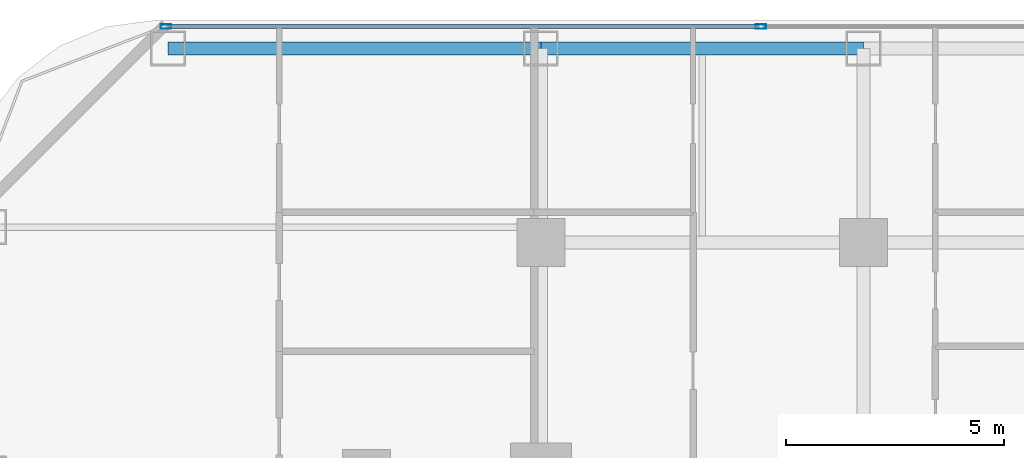
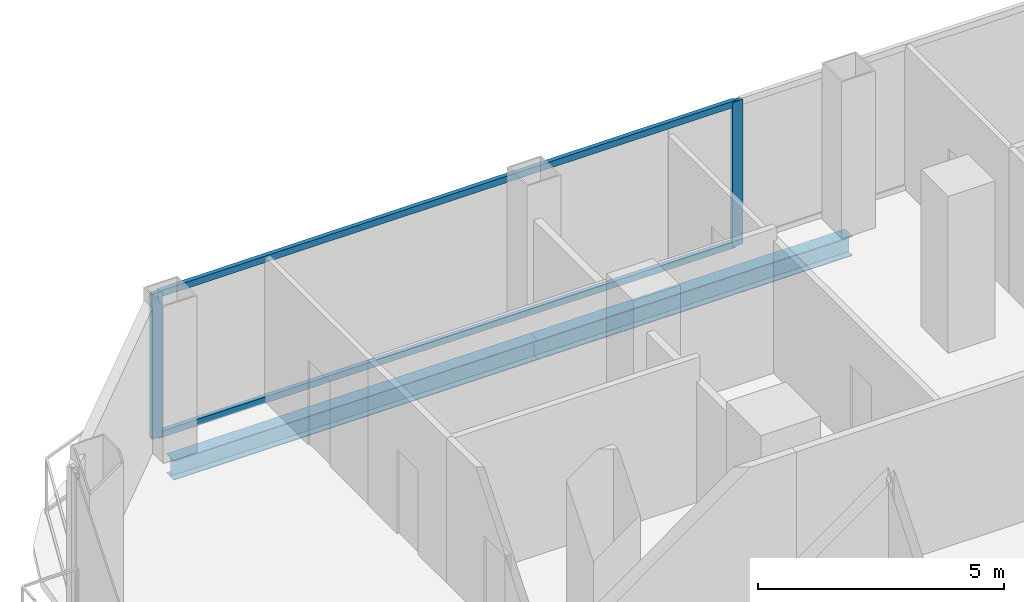
# One storey, part 15 of 29: 4 members, 2 beams, 1 element without a shape of its own.
"""IFC4 building model written with IfcOpenShell, lengths in metres."""

from ifc_helpers import new_model, si_unit, direction, frame, origin, origin_2d, place, context, subcontext, project, spatial, hollow_rectangle, i_section, extrude, material, layer, layer_set, material_profile, profile_set, type_object, element, aggregate, save


model = new_model("IFC4")

# Units and contexts
model_context = context("Model", 3, precision=1e-05, world=origin(), true_north=direction((0.0, 1.0)))
body_context = subcontext(model_context, "Body", "Model", "MODEL_VIEW")
ifc_project = project(units=[si_unit("LENGTHUNIT", "METRE"), si_unit("AREAUNIT", "SQUARE_METRE"), si_unit("VOLUMEUNIT", "CUBIC_METRE"), si_unit("PLANEANGLEUNIT", "RADIAN"), si_unit("MASSUNIT", "GRAM", prefix="KILO")], contexts=[model_context])

# Site, building, storey
site_placement = place(None, origin())
site = spatial("IfcSite", under=ifc_project, at=site_placement, CompositionType="ELEMENT")
building_placement = place(site_placement, origin())
building = spatial("IfcBuilding", under=site, at=building_placement, Name="Khorvyn Point Tower", CompositionType="ELEMENT")
storey_placement = place(building_placement, frame((0.0, 0.0, 73.5)))
storey = spatial("IfcBuildingStorey", under=building, at=storey_placement, Name="L19", CompositionType="ELEMENT", Elevation=73.5)

# Curtain wall, members
ifc_material_1 = material(Name="Anodised aluminium 6063-T6 and laminated Low-E glass", Category="aluminium")
ifc_layer = layer(ifc_material_1, 0.18994140625)
ifc_layer_set = layer_set([ifc_layer], Name="Stick-Built Finned Residential Curtain Wall CW-SYS-02")
curtain_wall_type = type_object("IfcCurtainWallType", Name="Stick-Built Finned Residential Curtain Wall CW-SYS-02", PredefinedType="NOTDEFINED", material=ifc_layer_set)
curtain_wall_placement = place(storey_placement, origin())
curtain_wall = element("IfcCurtainWall", 1, at=curtain_wall_placement, inside=storey, type_object=curtain_wall_type, Name="Curtain Wall", PredefinedType="NOTDEFINED")
ifc_material_2 = material(Name="Anodised aluminium 6063-T6", Category="aluminium")
ifc_material_profile_1 = material_profile(ifc_material_2, hollow_rectangle(XDim=0.10009765625, YDim=0.239990234375, WallThickness=0.0048828125, at=origin_2d()))
ifc_profile_set_1 = profile_set([ifc_material_profile_1], Name="Anodised aluminium 6063-T6 ALU-MUL-100x240")
member_type_1 = type_object("IfcMemberType", Name="Anodised Aluminium 6063-T6 Mullion ALU-MUL-100x240", PredefinedType="MULLION", material=ifc_profile_set_1)
member_1_placement = place(storey_placement, frame((-23.39990234375, 25.050048828125, 0.0), z_axis=(0.0, 0.0, 1.0), x_axis=(0.0, 1.0, 0.0)))
member_1 = element("IfcMember", 2, at=member_1_placement, type_object=member_type_1, Name="Transom", PredefinedType="MULLION", context=body_context, shape_type="SweptSolid", body=[
    extrude(hollow_rectangle(XDim=0.10009765625, YDim=0.239990234375, WallThickness=0.0048828125, at=origin_2d()), origin(), (0.0, 0.0, 1.0), 3.60009765625),
])
member_2_placement = place(storey_placement, frame((-9.75, 25.050048828125, 0.0), z_axis=(0.0, 0.0, 1.0), x_axis=(0.0, 1.0, 0.0)))
member_2 = element("IfcMember", 3, at=member_2_placement, type_object=member_type_1, Name="Transom", PredefinedType="MULLION", context=body_context, shape_type="SweptSolid", body=[
    extrude(hollow_rectangle(XDim=0.10009765625, YDim=0.239990234375, WallThickness=0.0048828125, at=origin_2d()), origin(), (0.0, 0.0, 1.0), 3.60009765625),
])
ifc_material_profile_2 = material_profile(ifc_material_2, hollow_rectangle(XDim=0.10009765625, YDim=0.159912109375, WallThickness=0.00439453125, at=origin_2d()))
ifc_profile_set_2 = profile_set([ifc_material_profile_2], Name="Anodised aluminium 6063-T6 ALU-TRN-100x160")
member_type_2 = type_object("IfcMemberType", Name="Anodised Aluminium 6063-T6 Transom ALU-TRN-100x160", PredefinedType="USERDEFINED", material=ifc_profile_set_2)
member_3_placement = place(storey_placement, frame((-23.35009765625, 25.050048828125, 0.050048828125), z_axis=(1.0, 0.0, 0.0), x_axis=(0.0, 1.0, 0.0)))
member_3 = element("IfcMember", 4, at=member_3_placement, type_object=member_type_2, Name="Transom", ObjectType="TRANSOM", PredefinedType="USERDEFINED", context=body_context, shape_type="SweptSolid", body=[
    extrude(hollow_rectangle(XDim=0.10009765625, YDim=0.159912109375, WallThickness=0.00439453125, at=origin_2d()), origin(), (0.0, 0.0, 1.0), 13.550048828125),
])
member_4_placement = place(storey_placement, frame((-23.35009765625, 25.050048828125, 3.550048828125), z_axis=(1.0, 0.0, 0.0), x_axis=(0.0, 1.0, 0.0)))
member_4 = element("IfcMember", 5, at=member_4_placement, type_object=member_type_2, Name="Transom", ObjectType="TRANSOM", PredefinedType="USERDEFINED", context=body_context, shape_type="SweptSolid", body=[
    extrude(hollow_rectangle(XDim=0.10009765625, YDim=0.159912109375, WallThickness=0.00439453125, at=origin_2d()), origin(), (0.0, 0.0, 1.0), 13.550048828125),
])
aggregate(curtain_wall, [member_1, member_2, member_3, member_4])

# Beams
ifc_material_3 = material(Name="Steel S355", Category="steel")
ifc_material_profile_3 = material_profile(ifc_material_3, i_section(OverallWidth=0.300048828125, OverallDepth=0.488037109375, WebThickness=0.010986328125, FlangeThickness=0.01806640625, at=origin_2d()))
ifc_profile_set_3 = profile_set([ifc_material_profile_3], Name="Steel S355 H488x300x11x18")
beam_type = type_object("IfcBeamType", Name="Steel S355 Spandrel H488x300x11x18", PredefinedType="SPANDREL", material=ifc_profile_set_3)
beam_1_placement = place(storey_placement, frame((-23.35009765625, 24.550048828125, -0.464111328125), z_axis=(1.0, 0.0, 0.0), x_axis=(0.0, 1.0, 0.0)))
element("IfcBeam", 6, at=beam_1_placement, inside=storey, type_object=beam_type, Name="Beam", PredefinedType="SPANDREL", context=body_context, shape_type="SweptSolid", body=[
    extrude(i_section(OverallWidth=0.300048828125, OverallDepth=0.488037109375, WebThickness=0.010986328125, FlangeThickness=0.01806640625, at=origin_2d()), origin(), (0.0, 0.0, 1.0), 8.550048828125),
])
beam_2_placement = place(storey_placement, frame((-14.800048828125, 24.550048828125, -0.464111328125), z_axis=(1.0, 0.0, 0.0), x_axis=(0.0, 1.0, 0.0)))
element("IfcBeam", 7, at=beam_2_placement, inside=storey, type_object=beam_type, Name="Beam", PredefinedType="SPANDREL", context=body_context, shape_type="SweptSolid", body=[
    extrude(i_section(OverallWidth=0.300048828125, OverallDepth=0.488037109375, WebThickness=0.010986328125, FlangeThickness=0.01806640625, at=origin_2d()), origin(), (0.0, 0.0, 1.0), 7.400146484375),
])

save(model, "model.ifc")
